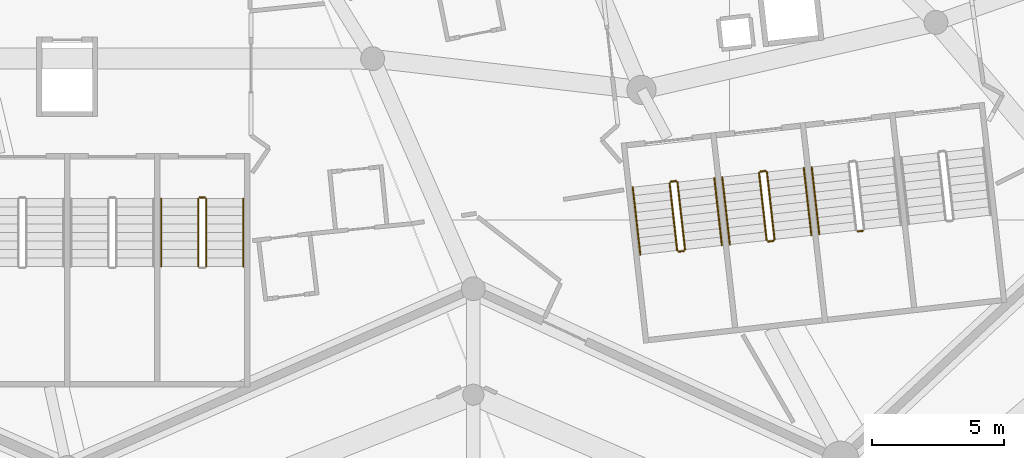
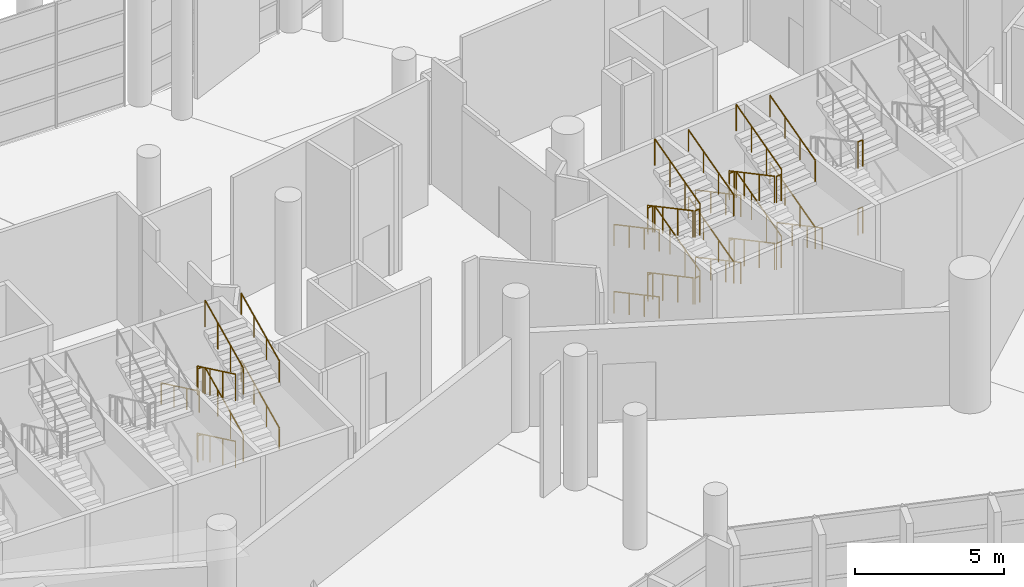
# One storey, part 238 of 271: 36 railings.
"""IFC4 building model written with IfcOpenShell, lengths in metres."""

from ifc_helpers import new_model, si_unit, direction, frame, origin, origin_2d, place, context, subcontext, project, spatial, circle, extrude, material, type_object, element, save


model = new_model("IFC4")

# Units and contexts
model_context = context("Model", 3, precision=1e-05, world=origin(), true_north=direction((0.0, 1.0)))
body_context = subcontext(model_context, "Body", "Model", "MODEL_VIEW")
ifc_project = project(units=[si_unit("LENGTHUNIT", "METRE"), si_unit("AREAUNIT", "SQUARE_METRE"), si_unit("VOLUMEUNIT", "CUBIC_METRE"), si_unit("PLANEANGLEUNIT", "RADIAN"), si_unit("MASSUNIT", "GRAM", prefix="KILO")], contexts=[model_context])

# Site, building, storey
site_placement = place(None, origin())
site = spatial("IfcSite", under=ifc_project, at=site_placement, CompositionType="ELEMENT")
building_placement = place(site_placement, origin())
building = spatial("IfcBuilding", under=site, at=building_placement, Name="Meseta Stadium", CompositionType="ELEMENT")
storey_placement = place(building_placement, frame((0.0, 0.0, 6.5)))
storey = spatial("IfcBuildingStorey", under=building, at=storey_placement, Name="L01", CompositionType="ELEMENT", Elevation=6.5)

# Railings
ifc_material_1 = material(Name="Steel S355", Category="steel")
railing_type_1 = type_object("IfcRailingType", Name="Stair guard 1100", PredefinedType="GUARDRAIL", material=ifc_material_1)
railing_1_placement = place(storey_placement, frame((27.949951171875, -95.199951171875, 0.15283203125)))
element("IfcRailing", 1, at=railing_1_placement, inside=storey, type_object=railing_type_1, Name="ST100 L01 guard 1", PredefinedType="GUARDRAIL", context=body_context, shape_type="SweptSolid", body=[
    extrude(circle(Radius=0.02392578125, at=origin_2d()), frame((0.0, 0.0, 1.076171875), z_axis=(0.0, -0.902436934422, 0.430821981091), x_axis=(1.0, 0.0, 0.0)), (0.0, 0.0, 1.0), 2.8369140625),
    extrude(circle(Radius=0.02099609375, at=origin_2d()), origin(), (0.0, 0.0, 1.0), 1.052001953125),
    extrude(circle(Radius=0.02099609375, at=origin_2d()), frame((0.0, -0.853271484375, 0.407470703125)), (0.0, 0.0, 1.0), 1.052001953125),
    extrude(circle(Radius=0.02099609375, at=origin_2d()), frame((0.0, -1.706787109375, 0.814697265625)), (0.0, 0.0, 1.0), 1.052001953125),
    extrude(circle(Radius=0.02099609375, at=origin_2d()), frame((0.0, -2.56005859375, 1.22216796875)), (0.0, 0.0, 1.0), 1.052001953125),
])
railing_2_placement = place(storey_placement, frame((28.25, -97.760009765625, 1.52783203125)))
element("IfcRailing", 2, at=railing_2_placement, inside=storey, type_object=railing_type_1, Name="ST100 L01 guard 3", PredefinedType="GUARDRAIL", context=body_context, shape_type="SweptSolid", body=[
    extrude(circle(Radius=0.02392578125, at=origin_2d()), frame((0.0, 0.0, 1.076171875), z_axis=(0.0, 0.902436934422, 0.430821981091), x_axis=(-1.0, 0.0, 0.0)), (0.0, 0.0, 1.0), 2.8369140625),
    extrude(circle(Radius=0.02099609375, at=origin_2d()), origin(), (0.0, 0.0, 1.0), 1.052001953125),
    extrude(circle(Radius=0.02099609375, at=origin_2d()), frame((0.0, 0.853271484375, 0.407470703125)), (0.0, 0.0, 1.0), 1.052001953125),
    extrude(circle(Radius=0.02099609375, at=origin_2d()), frame((0.0, 1.706787109375, 0.814697265625)), (0.0, 0.0, 1.0), 1.052001953125),
    extrude(circle(Radius=0.02099609375, at=origin_2d()), frame((0.0, 2.56005859375, 1.22216796875)), (0.0, 0.0, 1.0), 1.052001953125),
])
railing_3_placement = place(storey_placement, frame((28.0, -95.14990234375, 2.75)))
element("IfcRailing", 3, at=railing_3_placement, inside=storey, type_object=railing_type_1, Name="ST100 L01 guard 4", PredefinedType="GUARDRAIL", context=body_context, shape_type="SweptSolid", body=[
    extrude(circle(Radius=0.02392578125, at=origin_2d()), frame((0.0, 0.0, 1.076171875), z_axis=(1.0, 0.0, 0.0), x_axis=(0.0, 1.0, 0.0)), (0.0, 0.0, 1.0), 0.199951171875),
    extrude(circle(Radius=0.02099609375, at=origin_2d()), origin(), (0.0, 0.0, 1.0), 1.052001953125),
    extrude(circle(Radius=0.02099609375, at=origin_2d()), frame((0.199951171875, 0.0, 0.0)), (0.0, 0.0, 1.0), 1.052001953125),
])
railing_4_placement = place(storey_placement, frame((27.949951171875, -95.199951171875, 2.90283203125)))
element("IfcRailing", 4, at=railing_4_placement, inside=storey, type_object=railing_type_1, Name="ST100 L01 guard 5", PredefinedType="GUARDRAIL", context=body_context, shape_type="SweptSolid", body=[
    extrude(circle(Radius=0.02392578125, at=origin_2d()), frame((0.0, 0.0, 1.076171875), z_axis=(0.0, -0.902436934422, 0.430821981091), x_axis=(1.0, 0.0, 0.0)), (0.0, 0.0, 1.0), 2.8369140625),
    extrude(circle(Radius=0.02099609375, at=origin_2d()), origin(), (0.0, 0.0, 1.0), 1.052001953125),
    extrude(circle(Radius=0.02099609375, at=origin_2d()), frame((0.0, -0.853271484375, 0.407470703125)), (0.0, 0.0, 1.0), 1.052001953125),
    extrude(circle(Radius=0.02099609375, at=origin_2d()), frame((0.0, -1.706787109375, 0.814697265625)), (0.0, 0.0, 1.0), 1.052001953125),
    extrude(circle(Radius=0.02099609375, at=origin_2d()), frame((0.0, -2.56005859375, 1.22216796875)), (0.0, 0.0, 1.0), 1.052001953125),
])
railing_5_placement = place(storey_placement, frame((28.25, -97.760009765625, 4.27783203125)))
element("IfcRailing", 5, at=railing_5_placement, inside=storey, type_object=railing_type_1, Name="ST100 L01 guard 7", PredefinedType="GUARDRAIL", context=body_context, shape_type="SweptSolid", body=[
    extrude(circle(Radius=0.02392578125, at=origin_2d()), frame((0.0, 0.0, 1.076171875), z_axis=(0.0, 0.902436934422, 0.430821981091), x_axis=(-1.0, 0.0, 0.0)), (0.0, 0.0, 1.0), 2.8369140625),
    extrude(circle(Radius=0.02099609375, at=origin_2d()), origin(), (0.0, 0.0, 1.0), 1.052001953125),
    extrude(circle(Radius=0.02099609375, at=origin_2d()), frame((0.0, 0.853271484375, 0.407470703125)), (0.0, 0.0, 1.0), 1.052001953125),
    extrude(circle(Radius=0.02099609375, at=origin_2d()), frame((0.0, 1.706787109375, 0.814697265625)), (0.0, 0.0, 1.0), 1.052001953125),
    extrude(circle(Radius=0.02099609375, at=origin_2d()), frame((0.0, 2.56005859375, 1.22216796875)), (0.0, 0.0, 1.0), 1.052001953125),
])
railing_6_placement = place(storey_placement, frame((28.0, -95.14990234375, 0.0)))
element("IfcRailing", 6, at=railing_6_placement, inside=storey, type_object=railing_type_1, Name="ST100 L01 guard 8", PredefinedType="GUARDRAIL", context=body_context, shape_type="SweptSolid", body=[
    extrude(circle(Radius=0.02392578125, at=origin_2d()), frame((0.0, 0.0, 1.076171875), z_axis=(1.0, 0.0, 0.0), x_axis=(0.0, 1.0, 0.0)), (0.0, 0.0, 1.0), 0.199951171875),
    extrude(circle(Radius=0.02099609375, at=origin_2d()), origin(), (0.0, 0.0, 1.0), 1.052001953125),
    extrude(circle(Radius=0.02099609375, at=origin_2d()), frame((0.199951171875, 0.0, 0.0)), (0.0, 0.0, 1.0), 1.052001953125),
])
railing_7_placement = place(storey_placement, frame((45.742919921875, -94.609375, 0.15283203125)))
element("IfcRailing", 7, at=railing_7_placement, inside=storey, type_object=railing_type_1, Name="ST101 L01 guard 1", PredefinedType="GUARDRAIL", context=body_context, shape_type="SweptSolid", body=[
    extrude(circle(Radius=0.02392578125, at=origin_2d()), frame((0.0, 0.0, 1.076171875), z_axis=(0.101129313555, -0.896737291859, 0.430853909497), x_axis=(0.993700950062, 0.112064364749, 0.0)), (0.0, 0.0, 1.0), 2.836669921875),
    extrude(circle(Radius=0.02099609375, at=origin_2d()), origin(), (0.0, 0.0, 1.0), 1.052001953125),
    extrude(circle(Radius=0.02099609375, at=origin_2d()), frame((0.095703125, -0.847900390625, 0.407470703125)), (0.0, 0.0, 1.0), 1.052001953125),
    extrude(circle(Radius=0.02099609375, at=origin_2d()), frame((0.191162109375, -1.69580078125, 0.814697265625)), (0.0, 0.0, 1.0), 1.052001953125),
    extrude(circle(Radius=0.02099609375, at=origin_2d()), frame((0.286865234375, -2.543701171875, 1.22216796875)), (0.0, 0.0, 1.0), 1.052001953125),
])
railing_8_placement = place(storey_placement, frame((46.0849609375, -97.197265625, 1.375)))
element("IfcRailing", 8, at=railing_8_placement, inside=storey, type_object=railing_type_1, Name="ST101 L01 guard 2", PredefinedType="GUARDRAIL", context=body_context, shape_type="SweptSolid", body=[
    extrude(circle(Radius=0.02392578125, at=origin_2d()), frame((0.0, 0.0, 1.076171875), z_axis=(0.993673547442, 0.112307083986, 0.0), x_axis=(-0.112307083986, 0.993673547442, 0.0)), (0.0, 0.0, 1.0), 0.199951171875),
    extrude(circle(Radius=0.02099609375, at=origin_2d()), origin(), (0.0, 0.0, 1.0), 1.052001953125),
    extrude(circle(Radius=0.02099609375, at=origin_2d()), frame((0.19873046875, 0.0224609375, 0.0)), (0.0, 0.0, 1.0), 1.052001953125),
])
railing_9_placement = place(storey_placement, frame((46.327880859375, -97.11962890625, 1.52783203125)))
element("IfcRailing", 9, at=railing_9_placement, inside=storey, type_object=railing_type_1, Name="ST101 L01 guard 3", PredefinedType="GUARDRAIL", context=body_context, shape_type="SweptSolid", body=[
    extrude(circle(Radius=0.02392578125, at=origin_2d()), frame((0.0, 0.0, 1.076171875), z_axis=(-0.101036326981, 0.896761948158, 0.430824406188), x_axis=(-0.993712761983, -0.111959576062, 0.0)), (0.0, 0.0, 1.0), 2.8369140625),
    extrude(circle(Radius=0.02099609375, at=origin_2d()), origin(), (0.0, 0.0, 1.0), 1.052001953125),
    extrude(circle(Radius=0.02099609375, at=origin_2d()), frame((-0.095458984375, 0.847900390625, 0.407470703125)), (0.0, 0.0, 1.0), 1.052001953125),
    extrude(circle(Radius=0.02099609375, at=origin_2d()), frame((-0.191162109375, 1.696044921875, 0.814697265625)), (0.0, 0.0, 1.0), 1.052001953125),
    extrude(circle(Radius=0.02099609375, at=origin_2d()), frame((-0.28662109375, 2.5439453125, 1.22216796875)), (0.0, 0.0, 1.0), 1.052001953125),
])
railing_10_placement = place(storey_placement, frame((45.787109375, -94.553955078125, 2.75)))
element("IfcRailing", 10, at=railing_10_placement, inside=storey, type_object=railing_type_1, Name="ST101 L01 guard 4", PredefinedType="GUARDRAIL", context=body_context, shape_type="SweptSolid", body=[
    extrude(circle(Radius=0.02392578125, at=origin_2d()), frame((0.0, 0.0, 1.076171875), z_axis=(0.993673547442, 0.112307083986, 0.0), x_axis=(-0.112307083986, 0.993673547442, 0.0)), (0.0, 0.0, 1.0), 0.199951171875),
    extrude(circle(Radius=0.02099609375, at=origin_2d()), origin(), (0.0, 0.0, 1.0), 1.052001953125),
    extrude(circle(Radius=0.02099609375, at=origin_2d()), frame((0.19873046875, 0.0224609375, 0.0)), (0.0, 0.0, 1.0), 1.052001953125),
])
railing_11_placement = place(storey_placement, frame((45.742919921875, -94.609375, 2.90283203125)))
element("IfcRailing", 11, at=railing_11_placement, inside=storey, type_object=railing_type_1, Name="ST101 L01 guard 5", PredefinedType="GUARDRAIL", context=body_context, shape_type="SweptSolid", body=[
    extrude(circle(Radius=0.02392578125, at=origin_2d()), frame((0.0, 0.0, 1.076171875), z_axis=(0.101129313555, -0.896737291859, 0.430853909497), x_axis=(0.993700950062, 0.112064364749, 0.0)), (0.0, 0.0, 1.0), 2.836669921875),
    extrude(circle(Radius=0.02099609375, at=origin_2d()), origin(), (0.0, 0.0, 1.0), 1.052001953125),
    extrude(circle(Radius=0.02099609375, at=origin_2d()), frame((0.095703125, -0.847900390625, 0.407470703125)), (0.0, 0.0, 1.0), 1.052001953125),
    extrude(circle(Radius=0.02099609375, at=origin_2d()), frame((0.191162109375, -1.69580078125, 0.814697265625)), (0.0, 0.0, 1.0), 1.052001953125),
    extrude(circle(Radius=0.02099609375, at=origin_2d()), frame((0.286865234375, -2.543701171875, 1.22216796875)), (0.0, 0.0, 1.0), 1.052001953125),
])
railing_12_placement = place(storey_placement, frame((46.0849609375, -97.197265625, 4.125)))
element("IfcRailing", 12, at=railing_12_placement, inside=storey, type_object=railing_type_1, Name="ST101 L01 guard 6", PredefinedType="GUARDRAIL", context=body_context, shape_type="SweptSolid", body=[
    extrude(circle(Radius=0.02392578125, at=origin_2d()), frame((0.0, 0.0, 1.076171875), z_axis=(0.993673547442, 0.112307083986, 0.0), x_axis=(-0.112307083986, 0.993673547442, 0.0)), (0.0, 0.0, 1.0), 0.199951171875),
    extrude(circle(Radius=0.02099609375, at=origin_2d()), origin(), (0.0, 0.0, 1.0), 1.052001953125),
    extrude(circle(Radius=0.02099609375, at=origin_2d()), frame((0.19873046875, 0.0224609375, 0.0)), (0.0, 0.0, 1.0), 1.052001953125),
])
railing_13_placement = place(storey_placement, frame((46.327880859375, -97.11962890625, 4.27783203125)))
element("IfcRailing", 13, at=railing_13_placement, inside=storey, type_object=railing_type_1, Name="ST101 L01 guard 7", PredefinedType="GUARDRAIL", context=body_context, shape_type="SweptSolid", body=[
    extrude(circle(Radius=0.02392578125, at=origin_2d()), frame((0.0, 0.0, 1.076171875), z_axis=(-0.101036326981, 0.896761948158, 0.430824406188), x_axis=(-0.993712761983, -0.111959576062, 0.0)), (0.0, 0.0, 1.0), 2.8369140625),
    extrude(circle(Radius=0.02099609375, at=origin_2d()), origin(), (0.0, 0.0, 1.0), 1.052001953125),
    extrude(circle(Radius=0.02099609375, at=origin_2d()), frame((-0.095458984375, 0.847900390625, 0.407470703125)), (0.0, 0.0, 1.0), 1.052001953125),
    extrude(circle(Radius=0.02099609375, at=origin_2d()), frame((-0.191162109375, 1.696044921875, 0.814697265625)), (0.0, 0.0, 1.0), 1.052001953125),
    extrude(circle(Radius=0.02099609375, at=origin_2d()), frame((-0.28662109375, 2.5439453125, 1.22216796875)), (0.0, 0.0, 1.0), 1.052001953125),
])
railing_14_placement = place(storey_placement, frame((45.787109375, -94.553955078125, 0.0)))
element("IfcRailing", 14, at=railing_14_placement, inside=storey, type_object=railing_type_1, Name="ST101 L01 guard 8", PredefinedType="GUARDRAIL", context=body_context, shape_type="SweptSolid", body=[
    extrude(circle(Radius=0.02392578125, at=origin_2d()), frame((0.0, 0.0, 1.076171875), z_axis=(0.993673547442, 0.112307083986, 0.0), x_axis=(-0.112307083986, 0.993673547442, 0.0)), (0.0, 0.0, 1.0), 0.199951171875),
    extrude(circle(Radius=0.02099609375, at=origin_2d()), origin(), (0.0, 0.0, 1.0), 1.052001953125),
    extrude(circle(Radius=0.02099609375, at=origin_2d()), frame((0.19873046875, 0.0224609375, 0.0)), (0.0, 0.0, 1.0), 1.052001953125),
])
railing_15_placement = place(storey_placement, frame((49.12158203125, -94.228515625, 0.15283203125)))
element("IfcRailing", 15, at=railing_15_placement, inside=storey, type_object=railing_type_1, Name="ST102 L01 guard 1", PredefinedType="GUARDRAIL", context=body_context, shape_type="SweptSolid", body=[
    extrude(circle(Radius=0.02392578125, at=origin_2d()), frame((0.0, 0.0, 1.076171875), z_axis=(0.101036326981, -0.896761948158, 0.430824406188), x_axis=(0.993712761983, 0.111959576062, 0.0)), (0.0, 0.0, 1.0), 2.8369140625),
    extrude(circle(Radius=0.02099609375, at=origin_2d()), origin(), (0.0, 0.0, 1.0), 1.052001953125),
    extrude(circle(Radius=0.02099609375, at=origin_2d()), frame((0.095458984375, -0.847900390625, 0.407470703125)), (0.0, 0.0, 1.0), 1.052001953125),
    extrude(circle(Radius=0.02099609375, at=origin_2d()), frame((0.191162109375, -1.696044921875, 0.814697265625)), (0.0, 0.0, 1.0), 1.052001953125),
    extrude(circle(Radius=0.02099609375, at=origin_2d()), frame((0.28662109375, -2.5439453125, 1.22216796875)), (0.0, 0.0, 1.0), 1.052001953125),
])
railing_16_placement = place(storey_placement, frame((49.463623046875, -96.816650390625, 1.375)))
element("IfcRailing", 16, at=railing_16_placement, inside=storey, type_object=railing_type_1, Name="ST102 L01 guard 2", PredefinedType="GUARDRAIL", context=body_context, shape_type="SweptSolid", body=[
    extrude(circle(Radius=0.02392578125, at=origin_2d()), frame((0.0, 0.0, 1.076171875), z_axis=(0.993673547442, 0.112307083986, 0.0), x_axis=(-0.112307083986, 0.993673547442, 0.0)), (0.0, 0.0, 1.0), 0.199951171875),
    extrude(circle(Radius=0.02099609375, at=origin_2d()), origin(), (0.0, 0.0, 1.0), 1.052001953125),
    extrude(circle(Radius=0.02099609375, at=origin_2d()), frame((0.19873046875, 0.0224609375, 0.0)), (0.0, 0.0, 1.0), 1.052001953125),
])
railing_17_placement = place(storey_placement, frame((49.706298828125, -96.739013671875, 1.52783203125)))
element("IfcRailing", 17, at=railing_17_placement, inside=storey, type_object=railing_type_1, Name="ST102 L01 guard 3", PredefinedType="GUARDRAIL", context=body_context, shape_type="SweptSolid", body=[
    extrude(circle(Radius=0.02392578125, at=origin_2d()), frame((0.0, 0.0, 1.076171875), z_axis=(-0.101036326981, 0.896761948158, 0.430824406188), x_axis=(-0.993712761983, -0.111959576062, 0.0)), (0.0, 0.0, 1.0), 2.8369140625),
    extrude(circle(Radius=0.02099609375, at=origin_2d()), origin(), (0.0, 0.0, 1.0), 1.052001953125),
    extrude(circle(Radius=0.02099609375, at=origin_2d()), frame((-0.095458984375, 0.847900390625, 0.407470703125)), (0.0, 0.0, 1.0), 1.052001953125),
    extrude(circle(Radius=0.02099609375, at=origin_2d()), frame((-0.191162109375, 1.696044921875, 0.814697265625)), (0.0, 0.0, 1.0), 1.052001953125),
    extrude(circle(Radius=0.02099609375, at=origin_2d()), frame((-0.28662109375, 2.5439453125, 1.22216796875)), (0.0, 0.0, 1.0), 1.052001953125),
])
railing_18_placement = place(storey_placement, frame((49.165771484375, -94.17333984375, 2.75)))
element("IfcRailing", 18, at=railing_18_placement, inside=storey, type_object=railing_type_1, Name="ST102 L01 guard 4", PredefinedType="GUARDRAIL", context=body_context, shape_type="SweptSolid", body=[
    extrude(circle(Radius=0.02392578125, at=origin_2d()), frame((0.0, 0.0, 1.076171875), z_axis=(0.993673547442, 0.112307083986, 0.0), x_axis=(-0.112307083986, 0.993673547442, 0.0)), (0.0, 0.0, 1.0), 0.199951171875),
    extrude(circle(Radius=0.02099609375, at=origin_2d()), origin(), (0.0, 0.0, 1.0), 1.052001953125),
    extrude(circle(Radius=0.02099609375, at=origin_2d()), frame((0.19873046875, 0.0224609375, 0.0)), (0.0, 0.0, 1.0), 1.052001953125),
])
railing_19_placement = place(storey_placement, frame((49.12158203125, -94.228515625, 2.90283203125)))
element("IfcRailing", 19, at=railing_19_placement, inside=storey, type_object=railing_type_1, Name="ST102 L01 guard 5", PredefinedType="GUARDRAIL", context=body_context, shape_type="SweptSolid", body=[
    extrude(circle(Radius=0.02392578125, at=origin_2d()), frame((0.0, 0.0, 1.076171875), z_axis=(0.101036326981, -0.896761948158, 0.430824406188), x_axis=(0.993712761983, 0.111959576062, 0.0)), (0.0, 0.0, 1.0), 2.8369140625),
    extrude(circle(Radius=0.02099609375, at=origin_2d()), origin(), (0.0, 0.0, 1.0), 1.052001953125),
    extrude(circle(Radius=0.02099609375, at=origin_2d()), frame((0.095458984375, -0.847900390625, 0.407470703125)), (0.0, 0.0, 1.0), 1.052001953125),
    extrude(circle(Radius=0.02099609375, at=origin_2d()), frame((0.191162109375, -1.696044921875, 0.814697265625)), (0.0, 0.0, 1.0), 1.052001953125),
    extrude(circle(Radius=0.02099609375, at=origin_2d()), frame((0.28662109375, -2.5439453125, 1.22216796875)), (0.0, 0.0, 1.0), 1.052001953125),
])
railing_20_placement = place(storey_placement, frame((49.463623046875, -96.816650390625, 4.125)))
element("IfcRailing", 20, at=railing_20_placement, inside=storey, type_object=railing_type_1, Name="ST102 L01 guard 6", PredefinedType="GUARDRAIL", context=body_context, shape_type="SweptSolid", body=[
    extrude(circle(Radius=0.02392578125, at=origin_2d()), frame((0.0, 0.0, 1.076171875), z_axis=(0.993673547442, 0.112307083986, 0.0), x_axis=(-0.112307083986, 0.993673547442, 0.0)), (0.0, 0.0, 1.0), 0.199951171875),
    extrude(circle(Radius=0.02099609375, at=origin_2d()), origin(), (0.0, 0.0, 1.0), 1.052001953125),
    extrude(circle(Radius=0.02099609375, at=origin_2d()), frame((0.19873046875, 0.0224609375, 0.0)), (0.0, 0.0, 1.0), 1.052001953125),
])
railing_21_placement = place(storey_placement, frame((49.706298828125, -96.739013671875, 4.27783203125)))
element("IfcRailing", 21, at=railing_21_placement, inside=storey, type_object=railing_type_1, Name="ST102 L01 guard 7", PredefinedType="GUARDRAIL", context=body_context, shape_type="SweptSolid", body=[
    extrude(circle(Radius=0.02392578125, at=origin_2d()), frame((0.0, 0.0, 1.076171875), z_axis=(-0.101036326981, 0.896761948158, 0.430824406188), x_axis=(-0.993712761983, -0.111959576062, 0.0)), (0.0, 0.0, 1.0), 2.8369140625),
    extrude(circle(Radius=0.02099609375, at=origin_2d()), origin(), (0.0, 0.0, 1.0), 1.052001953125),
    extrude(circle(Radius=0.02099609375, at=origin_2d()), frame((-0.095458984375, 0.847900390625, 0.407470703125)), (0.0, 0.0, 1.0), 1.052001953125),
    extrude(circle(Radius=0.02099609375, at=origin_2d()), frame((-0.191162109375, 1.696044921875, 0.814697265625)), (0.0, 0.0, 1.0), 1.052001953125),
    extrude(circle(Radius=0.02099609375, at=origin_2d()), frame((-0.28662109375, 2.5439453125, 1.22216796875)), (0.0, 0.0, 1.0), 1.052001953125),
])
railing_22_placement = place(storey_placement, frame((49.165771484375, -94.17333984375, 0.0)))
element("IfcRailing", 22, at=railing_22_placement, inside=storey, type_object=railing_type_1, Name="ST102 L01 guard 8", PredefinedType="GUARDRAIL", context=body_context, shape_type="SweptSolid", body=[
    extrude(circle(Radius=0.02392578125, at=origin_2d()), frame((0.0, 0.0, 1.076171875), z_axis=(0.993673547442, 0.112307083986, 0.0), x_axis=(-0.112307083986, 0.993673547442, 0.0)), (0.0, 0.0, 1.0), 0.199951171875),
    extrude(circle(Radius=0.02099609375, at=origin_2d()), origin(), (0.0, 0.0, 1.0), 1.052001953125),
    extrude(circle(Radius=0.02099609375, at=origin_2d()), frame((0.19873046875, 0.0224609375, 0.0)), (0.0, 0.0, 1.0), 1.052001953125),
])
for number, where, name in (
    (23, (52.84228515625, -96.435791015625, 1.375), "ST103 L01 guard 2"),
    (24, (52.84228515625, -96.435791015625, 4.125), "ST103 L01 guard 6"),
):
    element("IfcRailing", number, at=place(storey_placement, frame(where)), inside=storey, type_object=railing_type_1, Name=name, PredefinedType="GUARDRAIL", context=body_context, shape_type="SweptSolid", body=[
        extrude(circle(Radius=0.02392578125, at=origin_2d()), frame((0.0, 0.0, 1.076171875), z_axis=(0.993809063983, 0.111101504696, 0.0), x_axis=(-0.111101504696, 0.993809063983, 0.0)), (0.0, 0.0, 1.0), 0.199951171875),
        extrude(circle(Radius=0.02099609375, at=origin_2d()), origin(), (0.0, 0.0, 1.0), 1.052001953125),
        extrude(circle(Radius=0.02099609375, at=origin_2d()), frame((0.19873046875, 0.022216796875, 0.0)), (0.0, 0.0, 1.0), 1.052001953125),
    ])
ifc_material_2 = material(Name="Steel S355", Category="steel")
railing_type_2 = type_object("IfcRailingType", Name="Stair handrail 900", PredefinedType="HANDRAIL", material=ifc_material_2)
railing_23_placement = place(storey_placement, frame((29.64990234375, -97.760009765625, 1.52783203125)))
element("IfcRailing", 25, at=railing_23_placement, inside=storey, type_object=railing_type_2, Name="ST100 L01 handrail 2", PredefinedType="HANDRAIL", context=body_context, shape_type="SweptSolid", body=[
    extrude(circle(Radius=0.02392578125, at=origin_2d()), frame((0.0, 0.0, 0.8759765625), z_axis=(0.0, 0.902436934422, 0.430821981091), x_axis=(-1.0, 0.0, 0.0)), (0.0, 0.0, 1.0), 2.8369140625),
    extrude(circle(Radius=0.02099609375, at=origin_2d()), origin(), (0.0, 0.0, 1.0), 0.851806640625),
    extrude(circle(Radius=0.02099609375, at=origin_2d()), frame((0.0, 0.853271484375, 0.407470703125)), (0.0, 0.0, 1.0), 0.851806640625),
    extrude(circle(Radius=0.02099609375, at=origin_2d()), frame((0.0, 1.706787109375, 0.814697265625)), (0.0, 0.0, 1.0), 0.851806640625),
    extrude(circle(Radius=0.02099609375, at=origin_2d()), frame((0.0, 2.56005859375, 1.22216796875)), (0.0, 0.0, 1.0), 0.851806640625),
])
railing_24_placement = place(storey_placement, frame((26.550048828125, -95.199951171875, 2.90283203125)))
element("IfcRailing", 26, at=railing_24_placement, inside=storey, type_object=railing_type_2, Name="ST100 L01 handrail 3", PredefinedType="HANDRAIL", context=body_context, shape_type="SweptSolid", body=[
    extrude(circle(Radius=0.02392578125, at=origin_2d()), frame((0.0, 0.0, 0.8759765625), z_axis=(0.0, -0.902436934422, 0.430821981091), x_axis=(1.0, 0.0, 0.0)), (0.0, 0.0, 1.0), 2.8369140625),
    extrude(circle(Radius=0.02099609375, at=origin_2d()), origin(), (0.0, 0.0, 1.0), 0.851806640625),
    extrude(circle(Radius=0.02099609375, at=origin_2d()), frame((0.0, -0.853271484375, 0.407470703125)), (0.0, 0.0, 1.0), 0.851806640625),
    extrude(circle(Radius=0.02099609375, at=origin_2d()), frame((0.0, -1.706787109375, 0.814697265625)), (0.0, 0.0, 1.0), 0.851806640625),
    extrude(circle(Radius=0.02099609375, at=origin_2d()), frame((0.0, -2.56005859375, 1.22216796875)), (0.0, 0.0, 1.0), 0.851806640625),
])
railing_25_placement = place(storey_placement, frame((29.64990234375, -97.760009765625, 4.27783203125)))
element("IfcRailing", 27, at=railing_25_placement, inside=storey, type_object=railing_type_2, Name="ST100 L01 handrail 4", PredefinedType="HANDRAIL", context=body_context, shape_type="SweptSolid", body=[
    extrude(circle(Radius=0.02392578125, at=origin_2d()), frame((0.0, 0.0, 0.8759765625), z_axis=(0.0, 0.902436934422, 0.430821981091), x_axis=(-1.0, 0.0, 0.0)), (0.0, 0.0, 1.0), 2.8369140625),
    extrude(circle(Radius=0.02099609375, at=origin_2d()), origin(), (0.0, 0.0, 1.0), 0.851806640625),
    extrude(circle(Radius=0.02099609375, at=origin_2d()), frame((0.0, 0.853271484375, 0.407470703125)), (0.0, 0.0, 1.0), 0.851806640625),
    extrude(circle(Radius=0.02099609375, at=origin_2d()), frame((0.0, 1.706787109375, 0.814697265625)), (0.0, 0.0, 1.0), 0.851806640625),
    extrude(circle(Radius=0.02099609375, at=origin_2d()), frame((0.0, 2.56005859375, 1.22216796875)), (0.0, 0.0, 1.0), 0.851806640625),
])
railing_26_placement = place(storey_placement, frame((44.351806640625, -94.76611328125, 0.15283203125)))
element("IfcRailing", 28, at=railing_26_placement, inside=storey, type_object=railing_type_2, Name="ST101 L01 handrail 1", PredefinedType="HANDRAIL", context=body_context, shape_type="SweptSolid", body=[
    extrude(circle(Radius=0.02392578125, at=origin_2d()), frame((0.0, 0.0, 0.8759765625), z_axis=(0.101044125167, -0.896745093794, 0.43085765808), x_axis=(0.993711566407, 0.111970187058, 0.0)), (0.0, 0.0, 1.0), 2.836669921875),
    extrude(circle(Radius=0.02099609375, at=origin_2d()), origin(), (0.0, 0.0, 1.0), 0.851806640625),
    extrude(circle(Radius=0.02099609375, at=origin_2d()), frame((0.095458984375, -0.847900390625, 0.407470703125)), (0.0, 0.0, 1.0), 0.851806640625),
    extrude(circle(Radius=0.02099609375, at=origin_2d()), frame((0.191162109375, -1.69580078125, 0.814697265625)), (0.0, 0.0, 1.0), 0.851806640625),
    extrude(circle(Radius=0.02099609375, at=origin_2d()), frame((0.28662109375, -2.543701171875, 1.22216796875)), (0.0, 0.0, 1.0), 0.851806640625),
])
railing_27_placement = place(storey_placement, frame((47.718994140625, -96.962890625, 1.52783203125)))
element("IfcRailing", 29, at=railing_27_placement, inside=storey, type_object=railing_type_2, Name="ST101 L01 handrail 2", PredefinedType="HANDRAIL", context=body_context, shape_type="SweptSolid", body=[
    extrude(circle(Radius=0.02392578125, at=origin_2d()), frame((0.0, 0.0, 0.8759765625), z_axis=(-0.101036326981, 0.896761948158, 0.430824406188), x_axis=(-0.993712761983, -0.111959576062, 0.0)), (0.0, 0.0, 1.0), 2.8369140625),
    extrude(circle(Radius=0.02099609375, at=origin_2d()), origin(), (0.0, 0.0, 1.0), 0.851806640625),
    extrude(circle(Radius=0.02099609375, at=origin_2d()), frame((-0.095458984375, 0.847900390625, 0.407470703125)), (0.0, 0.0, 1.0), 0.851806640625),
    extrude(circle(Radius=0.02099609375, at=origin_2d()), frame((-0.191162109375, 1.696044921875, 0.814697265625)), (0.0, 0.0, 1.0), 0.851806640625),
    extrude(circle(Radius=0.02099609375, at=origin_2d()), frame((-0.28662109375, 2.5439453125, 1.22216796875)), (0.0, 0.0, 1.0), 0.851806640625),
])
railing_28_placement = place(storey_placement, frame((44.351806640625, -94.76611328125, 2.90283203125)))
element("IfcRailing", 30, at=railing_28_placement, inside=storey, type_object=railing_type_2, Name="ST101 L01 handrail 3", PredefinedType="HANDRAIL", context=body_context, shape_type="SweptSolid", body=[
    extrude(circle(Radius=0.02392578125, at=origin_2d()), frame((0.0, 0.0, 0.8759765625), z_axis=(0.101044125167, -0.896745093794, 0.43085765808), x_axis=(0.993711566407, 0.111970187058, 0.0)), (0.0, 0.0, 1.0), 2.836669921875),
    extrude(circle(Radius=0.02099609375, at=origin_2d()), origin(), (0.0, 0.0, 1.0), 0.851806640625),
    extrude(circle(Radius=0.02099609375, at=origin_2d()), frame((0.095458984375, -0.847900390625, 0.407470703125)), (0.0, 0.0, 1.0), 0.851806640625),
    extrude(circle(Radius=0.02099609375, at=origin_2d()), frame((0.191162109375, -1.69580078125, 0.814697265625)), (0.0, 0.0, 1.0), 0.851806640625),
    extrude(circle(Radius=0.02099609375, at=origin_2d()), frame((0.28662109375, -2.543701171875, 1.22216796875)), (0.0, 0.0, 1.0), 0.851806640625),
])
railing_29_placement = place(storey_placement, frame((47.718994140625, -96.962890625, 4.27783203125)))
element("IfcRailing", 31, at=railing_29_placement, inside=storey, type_object=railing_type_2, Name="ST101 L01 handrail 4", PredefinedType="HANDRAIL", context=body_context, shape_type="SweptSolid", body=[
    extrude(circle(Radius=0.02392578125, at=origin_2d()), frame((0.0, 0.0, 0.8759765625), z_axis=(-0.101036326981, 0.896761948158, 0.430824406188), x_axis=(-0.993712761983, -0.111959576062, 0.0)), (0.0, 0.0, 1.0), 2.8369140625),
    extrude(circle(Radius=0.02099609375, at=origin_2d()), origin(), (0.0, 0.0, 1.0), 0.851806640625),
    extrude(circle(Radius=0.02099609375, at=origin_2d()), frame((-0.095458984375, 0.847900390625, 0.407470703125)), (0.0, 0.0, 1.0), 0.851806640625),
    extrude(circle(Radius=0.02099609375, at=origin_2d()), frame((-0.191162109375, 1.696044921875, 0.814697265625)), (0.0, 0.0, 1.0), 0.851806640625),
    extrude(circle(Radius=0.02099609375, at=origin_2d()), frame((-0.28662109375, 2.5439453125, 1.22216796875)), (0.0, 0.0, 1.0), 0.851806640625),
])
railing_30_placement = place(storey_placement, frame((47.73046875, -94.38525390625, 0.15283203125)))
element("IfcRailing", 32, at=railing_30_placement, inside=storey, type_object=railing_type_2, Name="ST102 L01 handrail 1", PredefinedType="HANDRAIL", context=body_context, shape_type="SweptSolid", body=[
    extrude(circle(Radius=0.02392578125, at=origin_2d()), frame((0.0, 0.0, 0.8759765625), z_axis=(0.101036326981, -0.896761948158, 0.430824406188), x_axis=(0.993712761983, 0.111959576062, 0.0)), (0.0, 0.0, 1.0), 2.8369140625),
    extrude(circle(Radius=0.02099609375, at=origin_2d()), origin(), (0.0, 0.0, 1.0), 0.851806640625),
    extrude(circle(Radius=0.02099609375, at=origin_2d()), frame((0.095458984375, -0.847900390625, 0.407470703125)), (0.0, 0.0, 1.0), 0.851806640625),
    extrude(circle(Radius=0.02099609375, at=origin_2d()), frame((0.191162109375, -1.696044921875, 0.814697265625)), (0.0, 0.0, 1.0), 0.851806640625),
    extrude(circle(Radius=0.02099609375, at=origin_2d()), frame((0.28662109375, -2.5439453125, 1.22216796875)), (0.0, 0.0, 1.0), 0.851806640625),
])
railing_31_placement = place(storey_placement, frame((51.09765625, -96.58203125, 1.52783203125)))
element("IfcRailing", 33, at=railing_31_placement, inside=storey, type_object=railing_type_2, Name="ST102 L01 handrail 2", PredefinedType="HANDRAIL", context=body_context, shape_type="SweptSolid", body=[
    extrude(circle(Radius=0.02392578125, at=origin_2d()), frame((0.0, 0.0, 0.8759765625), z_axis=(-0.101044125167, 0.896745093794, 0.43085765808), x_axis=(-0.993711566407, -0.111970187058, 0.0)), (0.0, 0.0, 1.0), 2.836669921875),
    extrude(circle(Radius=0.02099609375, at=origin_2d()), origin(), (0.0, 0.0, 1.0), 0.851806640625),
    extrude(circle(Radius=0.02099609375, at=origin_2d()), frame((-0.095458984375, 0.847900390625, 0.407470703125)), (0.0, 0.0, 1.0), 0.851806640625),
    extrude(circle(Radius=0.02099609375, at=origin_2d()), frame((-0.191162109375, 1.69580078125, 0.814697265625)), (0.0, 0.0, 1.0), 0.851806640625),
    extrude(circle(Radius=0.02099609375, at=origin_2d()), frame((-0.28662109375, 2.543701171875, 1.22216796875)), (0.0, 0.0, 1.0), 0.851806640625),
])
railing_32_placement = place(storey_placement, frame((47.73046875, -94.38525390625, 2.90283203125)))
element("IfcRailing", 34, at=railing_32_placement, inside=storey, type_object=railing_type_2, Name="ST102 L01 handrail 3", PredefinedType="HANDRAIL", context=body_context, shape_type="SweptSolid", body=[
    extrude(circle(Radius=0.02392578125, at=origin_2d()), frame((0.0, 0.0, 0.8759765625), z_axis=(0.101036326981, -0.896761948158, 0.430824406188), x_axis=(0.993712761983, 0.111959576062, 0.0)), (0.0, 0.0, 1.0), 2.8369140625),
    extrude(circle(Radius=0.02099609375, at=origin_2d()), origin(), (0.0, 0.0, 1.0), 0.851806640625),
    extrude(circle(Radius=0.02099609375, at=origin_2d()), frame((0.095458984375, -0.847900390625, 0.407470703125)), (0.0, 0.0, 1.0), 0.851806640625),
    extrude(circle(Radius=0.02099609375, at=origin_2d()), frame((0.191162109375, -1.696044921875, 0.814697265625)), (0.0, 0.0, 1.0), 0.851806640625),
    extrude(circle(Radius=0.02099609375, at=origin_2d()), frame((0.28662109375, -2.5439453125, 1.22216796875)), (0.0, 0.0, 1.0), 0.851806640625),
])
railing_33_placement = place(storey_placement, frame((51.09765625, -96.58203125, 4.27783203125)))
element("IfcRailing", 35, at=railing_33_placement, inside=storey, type_object=railing_type_2, Name="ST102 L01 handrail 4", PredefinedType="HANDRAIL", context=body_context, shape_type="SweptSolid", body=[
    extrude(circle(Radius=0.02392578125, at=origin_2d()), frame((0.0, 0.0, 0.8759765625), z_axis=(-0.101044125167, 0.896745093794, 0.43085765808), x_axis=(-0.993711566407, -0.111970187058, 0.0)), (0.0, 0.0, 1.0), 2.836669921875),
    extrude(circle(Radius=0.02099609375, at=origin_2d()), origin(), (0.0, 0.0, 1.0), 0.851806640625),
    extrude(circle(Radius=0.02099609375, at=origin_2d()), frame((-0.095458984375, 0.847900390625, 0.407470703125)), (0.0, 0.0, 1.0), 0.851806640625),
    extrude(circle(Radius=0.02099609375, at=origin_2d()), frame((-0.191162109375, 1.69580078125, 0.814697265625)), (0.0, 0.0, 1.0), 0.851806640625),
    extrude(circle(Radius=0.02099609375, at=origin_2d()), frame((-0.28662109375, 2.543701171875, 1.22216796875)), (0.0, 0.0, 1.0), 0.851806640625),
])
railing_34_placement = place(storey_placement, frame((51.109130859375, -94.004638671875, 0.15283203125)))
element("IfcRailing", 36, at=railing_34_placement, inside=storey, type_object=railing_type_2, Name="ST103 L01 handrail 1", PredefinedType="HANDRAIL", context=body_context, shape_type="SweptSolid", body=[
    extrude(circle(Radius=0.02392578125, at=origin_2d()), frame((0.0, 0.0, 0.8759765625), z_axis=(0.101036326981, -0.896761948158, 0.430824406188), x_axis=(0.993712761983, 0.111959576062, 0.0)), (0.0, 0.0, 1.0), 2.8369140625),
    extrude(circle(Radius=0.02099609375, at=origin_2d()), origin(), (0.0, 0.0, 1.0), 0.851806640625),
    extrude(circle(Radius=0.02099609375, at=origin_2d()), frame((0.095458984375, -0.847900390625, 0.407470703125)), (0.0, 0.0, 1.0), 0.851806640625),
    extrude(circle(Radius=0.02099609375, at=origin_2d()), frame((0.191162109375, -1.696044921875, 0.814697265625)), (0.0, 0.0, 1.0), 0.851806640625),
    extrude(circle(Radius=0.02099609375, at=origin_2d()), frame((0.28662109375, -2.5439453125, 1.22216796875)), (0.0, 0.0, 1.0), 0.851806640625),
])

save(model, "model.ifc")
